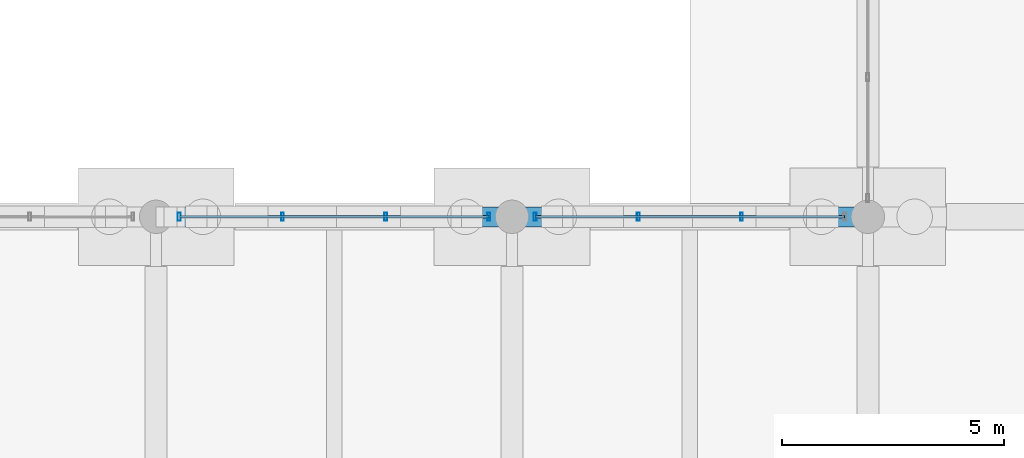
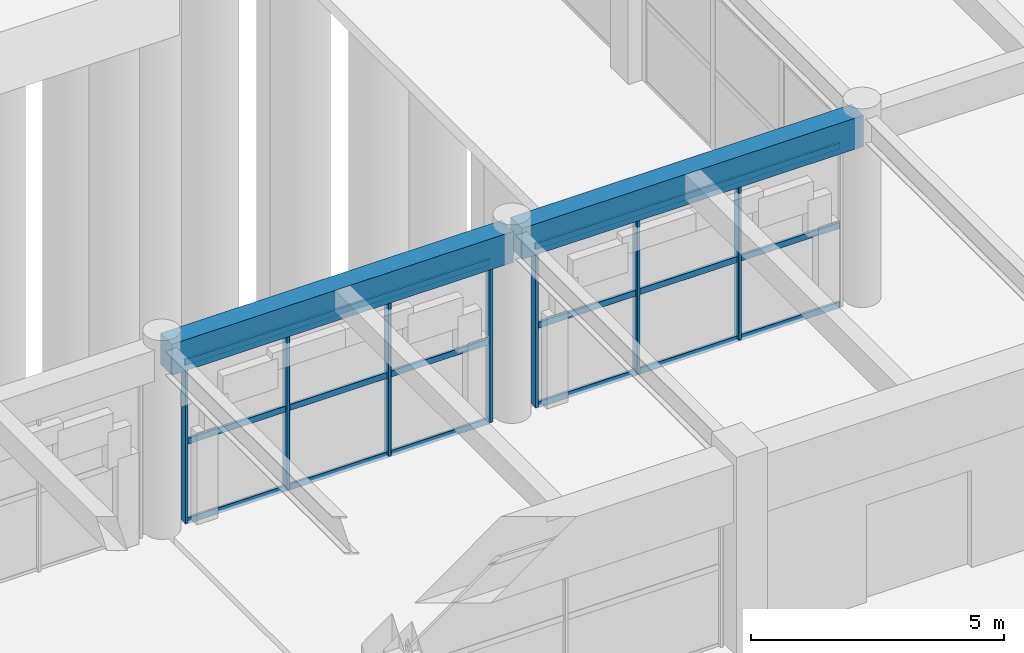
# One storey, part 61 of 147: 13 members, 2 beams, 2 elements without a shape of their own.
"""IFC4 building model written with IfcOpenShell, lengths in metres."""

from ifc_helpers import new_model, si_unit, direction, frame, origin, origin_2d, place, context, subcontext, project, spatial, rectangle, hollow_rectangle, extrude, material, material_profile, profile_set, type_object, element, aggregate, save


model = new_model("IFC4")

# Units and contexts
model_context = context("Model", 3, precision=1e-05, world=origin(), true_north=direction((0.0, 1.0)))
body_context = subcontext(model_context, "Body", "Model", "MODEL_VIEW")
ifc_project = project(units=[si_unit("LENGTHUNIT", "METRE"), si_unit("AREAUNIT", "SQUARE_METRE"), si_unit("VOLUMEUNIT", "CUBIC_METRE"), si_unit("PLANEANGLEUNIT", "RADIAN"), si_unit("MASSUNIT", "GRAM", prefix="KILO")], contexts=[model_context])

# Site, building, storey
site_placement = place(None, origin())
site = spatial("IfcSite", under=ifc_project, at=site_placement, CompositionType="ELEMENT")
building_placement = place(site_placement, origin())
building = spatial("IfcBuilding", under=site, at=building_placement, Name="Varnabhumi Central Station", CompositionType="ELEMENT")
storey_placement = place(building_placement, origin())
storey = spatial("IfcBuildingStorey", under=building, at=storey_placement, Name="L00", CompositionType="ELEMENT", Elevation=0.0)

# Beams
ifc_material_1 = material(Name="Concrete M40", Category="concrete")
ifc_material_profile_1 = material_profile(ifc_material_1, rectangle(XDim=0.449951171875, YDim=0.75, at=origin_2d()), Name="Concrete M40", Category="concrete")
ifc_profile_set_1 = profile_set([ifc_material_profile_1], Name="Concrete M40")
beam_type = type_object("IfcBeamType", Name="BM-RC-450x750", PredefinedType="BEAM", material=ifc_profile_set_1)
for number, where, z_axis, x_axis, name in (
    (1, (64.10009765625, 89.0, 4.175048828125), (1.0, 0.0, 0.0), (0.0, 1.0, 0.0), "Beam L00-L:9-10"),
    (2, (72.10009765625, 89.0, 4.175048828125), (1.0, 0.0, 0.0), (0.0, 1.0, 0.0), "Beam L00-L:10-11"),
):
    element("IfcBeam", number, at=place(storey_placement, frame(where, z_axis=z_axis, x_axis=x_axis)), inside=storey, type_object=beam_type, Name=name, PredefinedType="BEAM", context=body_context, shape_type="SweptSolid", body=[
        extrude(rectangle(XDim=0.449951171875, YDim=0.75, at=origin_2d()), origin(), (0.0, 0.0, 1.0), 7.7998046875),
    ])

# Curtain wall, members
ifc_material_2 = material(Name="Anodised aluminium 6063-T6", Category="aluminium")
curtain_wall_type = type_object("IfcCurtainWallType", Name="CW-PATIO-LOGGIA-L0", PredefinedType="NOTDEFINED", material=ifc_material_2)
curtain_wall_1_placement = place(storey_placement, origin())
curtain_wall_1 = element("IfcCurtainWall", 3, at=curtain_wall_1_placement, inside=storey, type_object=curtain_wall_type, Name="Curtain Wall CW-NP0S3", PredefinedType="NOTDEFINED")
ifc_material_profile_2 = material_profile(ifc_material_2, hollow_rectangle(XDim=0.06494140625, YDim=0.179931640625, WallThickness=0.00390625, InnerFilletRadius=0.001953125, OuterFilletRadius=0.006103515625, at=origin_2d()), Name="Anodised aluminium 6063-T6", Category="aluminium")
ifc_profile_set_2 = profile_set([ifc_material_profile_2], Name="Anodised aluminium 6063-T6")
member_type_1 = type_object("IfcMemberType", Name="CW-MUL-180", PredefinedType="MULLION", material=ifc_profile_set_2)
member_1_placement = place(storey_placement, frame((64.52001953125, 89.0, 0.0), z_axis=(0.0, 0.0, 1.0), x_axis=(1.0, 0.0, 0.0)))
member_1 = element("IfcMember", 4, at=member_1_placement, type_object=member_type_1, Name="Curtain Wall Mullion CW-NP0S3-M1", PredefinedType="MULLION", context=body_context, shape_type="SweptSolid", body=[
    extrude(hollow_rectangle(XDim=0.06494140625, YDim=0.179931640625, WallThickness=0.00390625, InnerFilletRadius=0.001953125, OuterFilletRadius=0.006103515625, at=origin_2d()), origin(), (0.0, 0.0, 1.0), 3.840087890625),
])
member_2_placement = place(storey_placement, frame((66.840087890625, 89.0, 0.0), z_axis=(0.0, 0.0, 1.0), x_axis=(1.0, 0.0, 0.0)))
member_2 = element("IfcMember", 5, at=member_2_placement, type_object=member_type_1, Name="Curtain Wall Mullion CW-NP0S3-M2", PredefinedType="MULLION", context=body_context, shape_type="SweptSolid", body=[
    extrude(hollow_rectangle(XDim=0.06494140625, YDim=0.179931640625, WallThickness=0.00390625, InnerFilletRadius=0.001953125, OuterFilletRadius=0.006103515625, at=origin_2d()), origin(), (0.0, 0.0, 1.0), 3.840087890625),
])
member_3_placement = place(storey_placement, frame((69.159912109375, 89.0, 0.0), z_axis=(0.0, 0.0, 1.0), x_axis=(1.0, 0.0, 0.0)))
member_3 = element("IfcMember", 6, at=member_3_placement, type_object=member_type_1, Name="Curtain Wall Mullion CW-NP0S3-M3", PredefinedType="MULLION", context=body_context, shape_type="SweptSolid", body=[
    extrude(hollow_rectangle(XDim=0.06494140625, YDim=0.179931640625, WallThickness=0.00390625, InnerFilletRadius=0.001953125, OuterFilletRadius=0.006103515625, at=origin_2d()), origin(), (0.0, 0.0, 1.0), 3.840087890625),
])
member_4_placement = place(storey_placement, frame((71.47998046875, 89.0, 0.0), z_axis=(0.0, 0.0, 1.0), x_axis=(1.0, 0.0, 0.0)))
member_4 = element("IfcMember", 7, at=member_4_placement, type_object=member_type_1, Name="Curtain Wall Mullion CW-NP0S3-M4", PredefinedType="MULLION", context=body_context, shape_type="SweptSolid", body=[
    extrude(hollow_rectangle(XDim=0.06494140625, YDim=0.179931640625, WallThickness=0.00390625, InnerFilletRadius=0.001953125, OuterFilletRadius=0.006103515625, at=origin_2d()), origin(), (0.0, 0.0, 1.0), 3.840087890625),
])

curtain_wall_2_placement = place(storey_placement, origin())
curtain_wall_2 = element("IfcCurtainWall", 8, at=curtain_wall_2_placement, inside=storey, type_object=curtain_wall_type, Name="Curtain Wall CW-NP0S4", PredefinedType="NOTDEFINED")
member_5_placement = place(storey_placement, frame((72.52001953125, 89.0, 0.0), z_axis=(0.0, 0.0, 1.0), x_axis=(1.0, 0.0, 0.0)))
member_5 = element("IfcMember", 9, at=member_5_placement, type_object=member_type_1, Name="Curtain Wall Mullion CW-NP0S4-M1", PredefinedType="MULLION", context=body_context, shape_type="SweptSolid", body=[
    extrude(hollow_rectangle(XDim=0.06494140625, YDim=0.179931640625, WallThickness=0.00390625, InnerFilletRadius=0.001953125, OuterFilletRadius=0.006103515625, at=origin_2d()), origin(), (0.0, 0.0, 1.0), 3.840087890625),
])
member_6_placement = place(storey_placement, frame((74.840087890625, 89.0, 0.0), z_axis=(0.0, 0.0, 1.0), x_axis=(1.0, 0.0, 0.0)))
member_6 = element("IfcMember", 10, at=member_6_placement, type_object=member_type_1, Name="Curtain Wall Mullion CW-NP0S4-M2", PredefinedType="MULLION", context=body_context, shape_type="SweptSolid", body=[
    extrude(hollow_rectangle(XDim=0.06494140625, YDim=0.179931640625, WallThickness=0.00390625, InnerFilletRadius=0.001953125, OuterFilletRadius=0.006103515625, at=origin_2d()), origin(), (0.0, 0.0, 1.0), 3.840087890625),
])
member_7_placement = place(storey_placement, frame((77.159912109375, 89.0, 0.0), z_axis=(0.0, 0.0, 1.0), x_axis=(1.0, 0.0, 0.0)))
member_7 = element("IfcMember", 11, at=member_7_placement, type_object=member_type_1, Name="Curtain Wall Mullion CW-NP0S4-M3", PredefinedType="MULLION", context=body_context, shape_type="SweptSolid", body=[
    extrude(hollow_rectangle(XDim=0.06494140625, YDim=0.179931640625, WallThickness=0.00390625, InnerFilletRadius=0.001953125, OuterFilletRadius=0.006103515625, at=origin_2d()), origin(), (0.0, 0.0, 1.0), 3.840087890625),
])

# Member
ifc_material_profile_3 = material_profile(ifc_material_2, hollow_rectangle(XDim=0.06005859375, YDim=0.14990234375, WallThickness=0.00390625, InnerFilletRadius=0.001953125, OuterFilletRadius=0.006103515625, at=origin_2d()), Name="Anodised aluminium 6063-T6", Category="aluminium")
ifc_profile_set_3 = profile_set([ifc_material_profile_3], Name="Anodised aluminium 6063-T6")
member_type_2 = type_object("IfcMemberType", Name="CW-TR-150", PredefinedType="USERDEFINED", material=ifc_profile_set_3)
member_8_placement = place(storey_placement, frame((64.52001953125, 89.0, 0.0), z_axis=(1.0, 0.0, 0.0), x_axis=(0.0, 1.0, 0.0)))
member_8 = element("IfcMember", 12, at=member_8_placement, type_object=member_type_2, Name="Curtain Wall Transom CW-NP0S3-T1", ObjectType="TRANSOM", PredefinedType="USERDEFINED", context=body_context, shape_type="SweptSolid", body=[
    extrude(hollow_rectangle(XDim=0.06005859375, YDim=0.14990234375, WallThickness=0.00390625, InnerFilletRadius=0.001953125, OuterFilletRadius=0.006103515625, at=origin_2d()), origin(), (0.0, 0.0, 1.0), 6.9599609375),
])

member_9_placement = place(storey_placement, frame((64.52001953125, 89.0, 1.919921875), z_axis=(1.0, 0.0, 0.0), x_axis=(0.0, 1.0, 0.0)))
member_9 = element("IfcMember", 13, at=member_9_placement, type_object=member_type_2, Name="Curtain Wall Transom CW-NP0S3-T2", ObjectType="TRANSOM", PredefinedType="USERDEFINED", context=body_context, shape_type="SweptSolid", body=[
    extrude(hollow_rectangle(XDim=0.06005859375, YDim=0.14990234375, WallThickness=0.00390625, InnerFilletRadius=0.001953125, OuterFilletRadius=0.006103515625, at=origin_2d()), origin(), (0.0, 0.0, 1.0), 6.9599609375),
])

member_10_placement = place(storey_placement, frame((64.52001953125, 89.0, 3.840087890625), z_axis=(1.0, 0.0, 0.0), x_axis=(0.0, 1.0, 0.0)))
member_10 = element("IfcMember", 14, at=member_10_placement, type_object=member_type_2, Name="Curtain Wall Transom CW-NP0S3-T3", ObjectType="TRANSOM", PredefinedType="USERDEFINED", context=body_context, shape_type="SweptSolid", body=[
    extrude(hollow_rectangle(XDim=0.06005859375, YDim=0.14990234375, WallThickness=0.00390625, InnerFilletRadius=0.001953125, OuterFilletRadius=0.006103515625, at=origin_2d()), origin(), (0.0, 0.0, 1.0), 6.9599609375),
])

aggregate(curtain_wall_1, [member_1, member_2, member_3, member_4, member_8, member_9, member_10])

member_11_placement = place(storey_placement, frame((72.52001953125, 89.0, 0.0), z_axis=(1.0, 0.0, 0.0), x_axis=(0.0, 1.0, 0.0)))
member_11 = element("IfcMember", 15, at=member_11_placement, type_object=member_type_2, Name="Curtain Wall Transom CW-NP0S4-T1", ObjectType="TRANSOM", PredefinedType="USERDEFINED", context=body_context, shape_type="SweptSolid", body=[
    extrude(hollow_rectangle(XDim=0.06005859375, YDim=0.14990234375, WallThickness=0.00390625, InnerFilletRadius=0.001953125, OuterFilletRadius=0.006103515625, at=origin_2d()), origin(), (0.0, 0.0, 1.0), 6.9599609375),
])

member_12_placement = place(storey_placement, frame((72.52001953125, 89.0, 1.919921875), z_axis=(1.0, 0.0, 0.0), x_axis=(0.0, 1.0, 0.0)))
member_12 = element("IfcMember", 16, at=member_12_placement, type_object=member_type_2, Name="Curtain Wall Transom CW-NP0S4-T2", ObjectType="TRANSOM", PredefinedType="USERDEFINED", context=body_context, shape_type="SweptSolid", body=[
    extrude(hollow_rectangle(XDim=0.06005859375, YDim=0.14990234375, WallThickness=0.00390625, InnerFilletRadius=0.001953125, OuterFilletRadius=0.006103515625, at=origin_2d()), origin(), (0.0, 0.0, 1.0), 6.9599609375),
])

member_13_placement = place(storey_placement, frame((72.52001953125, 89.0, 3.840087890625), z_axis=(1.0, 0.0, 0.0), x_axis=(0.0, 1.0, 0.0)))
member_13 = element("IfcMember", 17, at=member_13_placement, type_object=member_type_2, Name="Curtain Wall Transom CW-NP0S4-T3", ObjectType="TRANSOM", PredefinedType="USERDEFINED", context=body_context, shape_type="SweptSolid", body=[
    extrude(hollow_rectangle(XDim=0.06005859375, YDim=0.14990234375, WallThickness=0.00390625, InnerFilletRadius=0.001953125, OuterFilletRadius=0.006103515625, at=origin_2d()), origin(), (0.0, 0.0, 1.0), 6.9599609375),
])

aggregate(curtain_wall_2, [member_5, member_6, member_7, member_11, member_12, member_13])

save(model, "model.ifc")
